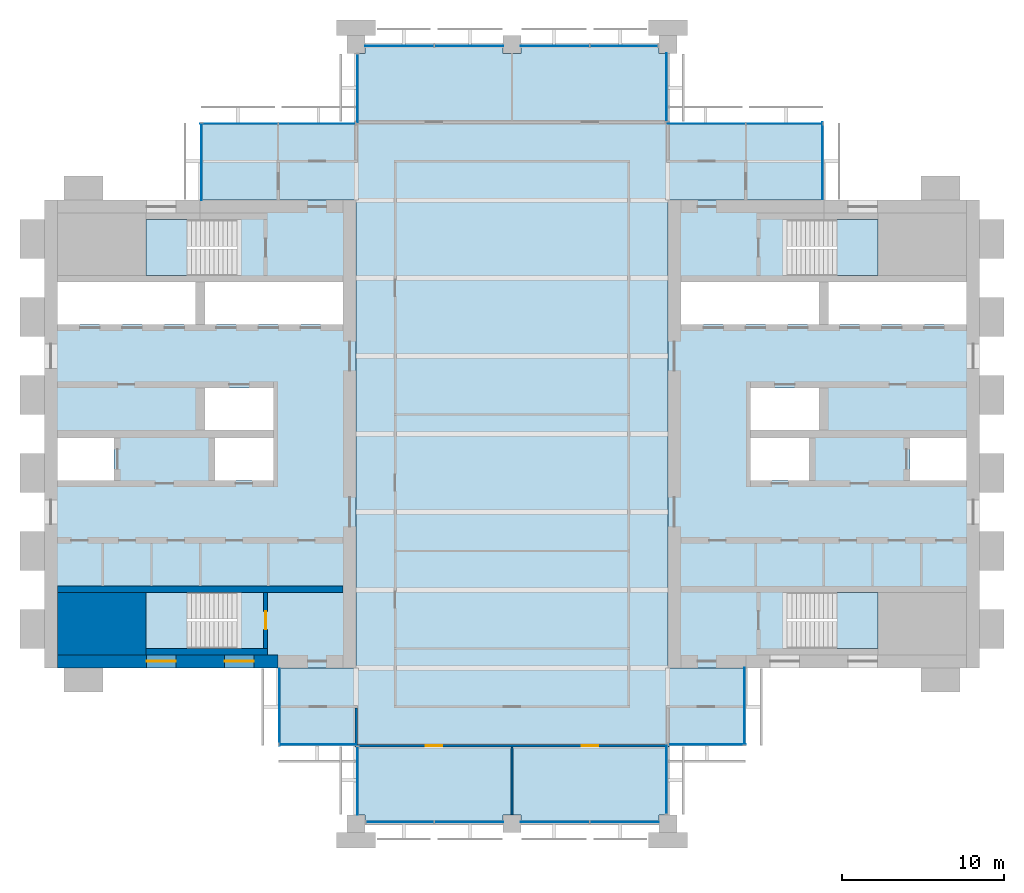
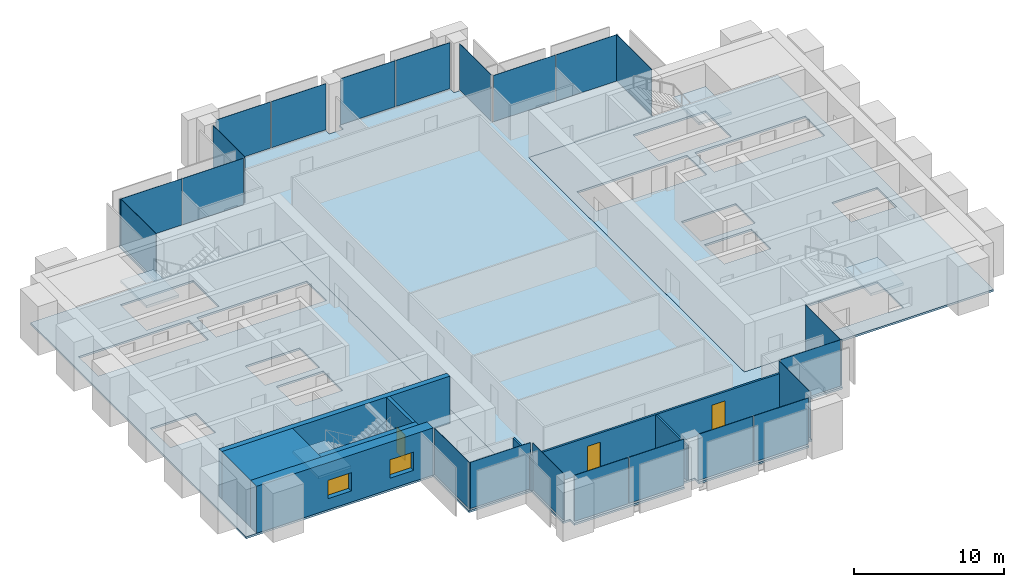
# One storey, part 7 of 13: 22 plates, 8 walls, 7 slabs, 3 doors, 2 windows, 5 openings, 18 elements without a shape of their own.
"""IFC4 building model written with IfcOpenShell, lengths in metres."""

from ifc_helpers import new_model, si_unit, direction, frame, frame_2d, origin, origin_2d, place, context, subcontext, project, spatial, polyline, rectangle, outline, extrude, material, layer, layer_set, type_object, element, fill, aggregate, save


model = new_model("IFC4")

# Units and contexts
model_context = context("Model", 3, precision=1e-05, world=origin(), true_north=direction((0.0, 1.0)))
body_context = subcontext(model_context, "Body", "Model", "MODEL_VIEW")
ifc_project = project(units=[si_unit("LENGTHUNIT", "METRE"), si_unit("AREAUNIT", "SQUARE_METRE"), si_unit("VOLUMEUNIT", "CUBIC_METRE"), si_unit("PLANEANGLEUNIT", "RADIAN"), si_unit("MASSUNIT", "GRAM", prefix="KILO")], contexts=[model_context])

# Site, building, storey
site_placement = place(None, origin())
site = spatial("IfcSite", under=ifc_project, at=site_placement, CompositionType="ELEMENT")
building_placement = place(site_placement, origin())
building = spatial("IfcBuilding", under=site, at=building_placement, Name="Baori Bourse Tower", CompositionType="ELEMENT")
storey_placement = place(building_placement, frame((0.0, 0.0, 253.199951171875)))
storey = spatial("IfcBuildingStorey", under=building, at=storey_placement, Name="L56", CompositionType="ELEMENT", Elevation=253.199951171875)

# Curtain wall, plate
ifc_material_1 = material(Name="Pale anodised aluminium", Category="aluminium")
curtain_wall_type_1 = type_object("IfcCurtainWallType", Name="CW2 Curtain wall", PredefinedType="NOTDEFINED", material=ifc_material_1)
curtain_wall_1_placement = place(storey_placement, origin())
curtain_wall_1 = element("IfcCurtainWall", 1, at=curtain_wall_1_placement, inside=storey, type_object=curtain_wall_type_1, Name="Curtain wall CW2 L56 1", PredefinedType="NOTDEFINED")
ifc_material_2 = material(Name="Clear glass", Category="glass")
ifc_layer_1 = layer(ifc_material_2, 0.030029296875)
ifc_layer_set_1 = layer_set([ifc_layer_1], Name="CW2 Curtain wall panel")
plate_type_1 = type_object("IfcPlateType", Name="CW2 Curtain wall panel", PredefinedType="CURTAIN_PANEL", material=ifc_layer_set_1)
plate_1_placement = place(storey_placement, frame((47.909912109375, 40.827392578125, 0.070068359375), z_axis=(0.0, 0.0, 1.0), x_axis=(0.0, 1.0, 0.0)))
plate_1 = element("IfcPlate", 2, at=plate_1_placement, type_object=plate_type_1, Name="Curtain wall CW2 panel", PredefinedType="CURTAIN_PANEL", context=body_context, shape_type="SweptSolid", body=[
    extrude(rectangle(XDim=4.7451171875, YDim=0.030029296875, at=origin_2d()), origin(), (0.0, 0.0, 1.0), 3.77001953125),
])
aggregate(curtain_wall_1, [plate_1])

# Curtain wall, plates
curtain_wall_2_placement = place(storey_placement, origin())
curtain_wall_2 = element("IfcCurtainWall", 3, at=curtain_wall_2_placement, inside=storey, type_object=curtain_wall_type_1, Name="Curtain wall CW2 L56 2", PredefinedType="NOTDEFINED")
plate_2_placement = place(storey_placement, frame((45.586181640625, 43.110107421875, 0.070068359375), z_axis=(0.0, 0.0, 1.0), x_axis=(-1.0, 0.0, 0.0)))
plate_2 = element("IfcPlate", 4, at=plate_2_placement, type_object=plate_type_1, Name="Curtain wall CW2 panel", PredefinedType="CURTAIN_PANEL", context=body_context, shape_type="SweptSolid", body=[
    extrude(rectangle(XDim=4.717529296875, YDim=0.030029296875, at=origin_2d()), origin(), (0.0, 0.0, 1.0), 3.77001953125),
])
plate_3_placement = place(storey_placement, frame((40.7861328125, 43.110107421875, 0.070068359375), z_axis=(0.0, 0.0, 1.0), x_axis=(-1.0, 0.0, 0.0)))
plate_3 = element("IfcPlate", 5, at=plate_3_placement, type_object=plate_type_1, Name="Curtain wall CW2 panel", PredefinedType="CURTAIN_PANEL", context=body_context, shape_type="SweptSolid", body=[
    extrude(rectangle(XDim=4.7724609375, YDim=0.030029296875, at=origin_2d()), origin(), (0.0, 0.0, 1.0), 3.77001953125),
])
aggregate(curtain_wall_2, [plate_2, plate_3])

# Curtain wall, plate
curtain_wall_3_placement = place(storey_placement, origin())
curtain_wall_3 = element("IfcCurtainWall", 6, at=curtain_wall_3_placement, inside=storey, type_object=curtain_wall_type_1, Name="Curtain wall CW2 L56 3", PredefinedType="NOTDEFINED")
plate_4_placement = place(storey_placement, frame((38.31005859375, 45.3525390625, 0.070068359375), z_axis=(0.0, 0.0, 1.0), x_axis=(0.0, 1.0, 0.0)))
plate_4 = element("IfcPlate", 7, at=plate_4_placement, type_object=plate_type_1, Name="Curtain wall CW2 panel", PredefinedType="CURTAIN_PANEL", context=body_context, shape_type="SweptSolid", body=[
    extrude(rectangle(XDim=4.195068359375, YDim=0.030029296875, at=origin_2d()), origin(), (0.0, 0.0, 1.0), 3.77001953125),
])
aggregate(curtain_wall_3, [plate_4])

curtain_wall_4_placement = place(storey_placement, origin())
curtain_wall_4 = element("IfcCurtainWall", 8, at=curtain_wall_4_placement, inside=storey, type_object=curtain_wall_type_1, Name="Curtain wall CW2 L56 5", PredefinedType="NOTDEFINED")
plate_5_placement = place(storey_placement, frame((19.2900390625, 45.297607421875, 0.070068359375), z_axis=(0.0, 0.0, 1.0), x_axis=(0.0, -1.0, 0.0)))
plate_5 = element("IfcPlate", 9, at=plate_5_placement, type_object=plate_type_1, Name="Curtain wall CW2 panel", PredefinedType="CURTAIN_PANEL", context=body_context, shape_type="SweptSolid", body=[
    extrude(rectangle(XDim=4.195068359375, YDim=0.030029296875, at=origin_2d()), origin(), (0.0, 0.0, 1.0), 3.77001953125),
])
aggregate(curtain_wall_4, [plate_5])

# Curtain wall, plates
curtain_wall_5_placement = place(storey_placement, origin())
curtain_wall_5 = element("IfcCurtainWall", 10, at=curtain_wall_5_placement, inside=storey, type_object=curtain_wall_type_1, Name="Curtain wall CW2 L56 6", PredefinedType="NOTDEFINED")
plate_6_placement = place(storey_placement, frame((16.7861328125, 43.110107421875, 0.070068359375), z_axis=(0.0, 0.0, 1.0), x_axis=(-1.0, 0.0, 0.0)))
plate_6 = element("IfcPlate", 11, at=plate_6_placement, type_object=plate_type_1, Name="Curtain wall CW2 panel", PredefinedType="CURTAIN_PANEL", context=body_context, shape_type="SweptSolid", body=[
    extrude(rectangle(XDim=4.717529296875, YDim=0.030029296875, at=origin_2d()), origin(), (0.0, 0.0, 1.0), 3.77001953125),
])
plate_7_placement = place(storey_placement, frame((11.986328125, 43.110107421875, 0.070068359375), z_axis=(0.0, 0.0, 1.0), x_axis=(-1.0, 0.0, 0.0)))
plate_7 = element("IfcPlate", 12, at=plate_7_placement, type_object=plate_type_1, Name="Curtain wall CW2 panel", PredefinedType="CURTAIN_PANEL", context=body_context, shape_type="SweptSolid", body=[
    extrude(rectangle(XDim=4.7724609375, YDim=0.030029296875, at=origin_2d()), origin(), (0.0, 0.0, 1.0), 3.77001953125),
])
aggregate(curtain_wall_5, [plate_6, plate_7])

# Curtain wall, plate
curtain_wall_6_placement = place(storey_placement, origin())
curtain_wall_6 = element("IfcCurtainWall", 13, at=curtain_wall_6_placement, inside=storey, type_object=curtain_wall_type_1, Name="Curtain wall CW2 L56 7", PredefinedType="NOTDEFINED")
plate_8_placement = place(storey_placement, frame((9.68994140625, 40.7724609375, 0.070068359375), z_axis=(0.0, 0.0, 1.0), x_axis=(0.0, -1.0, 0.0)))
plate_8 = element("IfcPlate", 14, at=plate_8_placement, type_object=plate_type_1, Name="Curtain wall CW2 panel", PredefinedType="CURTAIN_PANEL", context=body_context, shape_type="SweptSolid", body=[
    extrude(rectangle(XDim=4.7451171875, YDim=0.030029296875, at=origin_2d()), origin(), (0.0, 0.0, 1.0), 3.77001953125),
])
aggregate(curtain_wall_6, [plate_8])

curtain_wall_7_placement = place(storey_placement, origin())
curtain_wall_7 = element("IfcCurtainWall", 15, at=curtain_wall_7_placement, inside=storey, type_object=curtain_wall_type_1, Name="Curtain wall CW2 L56 8", PredefinedType="NOTDEFINED")
plate_9_placement = place(storey_placement, frame((14.489990234375, 7.172607421875, 0.070068359375), z_axis=(0.0, 0.0, 1.0), x_axis=(0.0, -1.0, 0.0)))
plate_9 = element("IfcPlate", 16, at=plate_9_placement, type_object=plate_type_1, Name="Curtain wall CW2 panel", PredefinedType="CURTAIN_PANEL", context=body_context, shape_type="SweptSolid", body=[
    extrude(rectangle(XDim=4.7451171875, YDim=0.030029296875, at=origin_2d()), origin(), (0.0, 0.0, 1.0), 3.77001953125),
])
aggregate(curtain_wall_7, [plate_9])

curtain_wall_8_placement = place(storey_placement, origin())
curtain_wall_8 = element("IfcCurtainWall", 17, at=curtain_wall_8_placement, inside=storey, type_object=curtain_wall_type_1, Name="Curtain wall CW2 L56 9", PredefinedType="NOTDEFINED")
plate_10_placement = place(storey_placement, frame((16.827392578125, 4.889892578125, 0.070068359375), z_axis=(0.0, 0.0, 1.0), x_axis=(1.0, 0.0, 0.0)))
plate_10 = element("IfcPlate", 18, at=plate_10_placement, type_object=plate_type_1, Name="Curtain wall CW2 panel", PredefinedType="CURTAIN_PANEL", context=body_context, shape_type="SweptSolid", body=[
    extrude(rectangle(XDim=4.7451171875, YDim=0.030029296875, at=origin_2d()), origin(), (0.0, 0.0, 1.0), 3.77001953125),
])
aggregate(curtain_wall_8, [plate_10])

curtain_wall_9_placement = place(storey_placement, origin())
curtain_wall_9 = element("IfcCurtainWall", 19, at=curtain_wall_9_placement, inside=storey, type_object=curtain_wall_type_1, Name="Curtain wall CW2 L56 10", PredefinedType="NOTDEFINED")
plate_11_placement = place(storey_placement, frame((19.2900390625, 2.6474609375, 0.070068359375), z_axis=(0.0, 0.0, 1.0), x_axis=(0.0, -1.0, 0.0)))
plate_11 = element("IfcPlate", 20, at=plate_11_placement, type_object=plate_type_1, Name="Curtain wall CW2 panel", PredefinedType="CURTAIN_PANEL", context=body_context, shape_type="SweptSolid", body=[
    extrude(rectangle(XDim=4.195068359375, YDim=0.030029296875, at=origin_2d()), origin(), (0.0, 0.0, 1.0), 3.77001953125),
])
aggregate(curtain_wall_9, [plate_11])

curtain_wall_10_placement = place(storey_placement, origin())
curtain_wall_10 = element("IfcCurtainWall", 21, at=curtain_wall_10_placement, inside=storey, type_object=curtain_wall_type_1, Name="Curtain wall CW2 L56 12", PredefinedType="NOTDEFINED")
plate_12_placement = place(storey_placement, frame((38.31005859375, 2.702392578125, 0.070068359375), z_axis=(0.0, 0.0, 1.0), x_axis=(0.0, 1.0, 0.0)))
plate_12 = element("IfcPlate", 22, at=plate_12_placement, type_object=plate_type_1, Name="Curtain wall CW2 panel", PredefinedType="CURTAIN_PANEL", context=body_context, shape_type="SweptSolid", body=[
    extrude(rectangle(XDim=4.195068359375, YDim=0.030029296875, at=origin_2d()), origin(), (0.0, 0.0, 1.0), 3.77001953125),
])
aggregate(curtain_wall_10, [plate_12])

curtain_wall_11_placement = place(storey_placement, origin())
curtain_wall_11 = element("IfcCurtainWall", 23, at=curtain_wall_11_placement, inside=storey, type_object=curtain_wall_type_1, Name="Curtain wall CW2 L56 13", PredefinedType="NOTDEFINED")
plate_13_placement = place(storey_placement, frame((40.827392578125, 4.889892578125, 0.070068359375), z_axis=(0.0, 0.0, 1.0), x_axis=(1.0, 0.0, 0.0)))
plate_13 = element("IfcPlate", 24, at=plate_13_placement, type_object=plate_type_1, Name="Curtain wall CW2 panel", PredefinedType="CURTAIN_PANEL", context=body_context, shape_type="SweptSolid", body=[
    extrude(rectangle(XDim=4.7451171875, YDim=0.030029296875, at=origin_2d()), origin(), (0.0, 0.0, 1.0), 3.77001953125),
])
aggregate(curtain_wall_11, [plate_13])

curtain_wall_12_placement = place(storey_placement, origin())
curtain_wall_12 = element("IfcCurtainWall", 25, at=curtain_wall_12_placement, inside=storey, type_object=curtain_wall_type_1, Name="Curtain wall CW2 L56 14", PredefinedType="NOTDEFINED")
plate_14_placement = place(storey_placement, frame((43.110107421875, 7.2275390625, 0.070068359375), z_axis=(0.0, 0.0, 1.0), x_axis=(0.0, 1.0, 0.0)))
plate_14 = element("IfcPlate", 26, at=plate_14_placement, type_object=plate_type_1, Name="Curtain wall CW2 panel", PredefinedType="CURTAIN_PANEL", context=body_context, shape_type="SweptSolid", body=[
    extrude(rectangle(XDim=4.7451171875, YDim=0.030029296875, at=origin_2d()), origin(), (0.0, 0.0, 1.0), 3.77001953125),
])
aggregate(curtain_wall_12, [plate_14])

# Curtain wall, plates
ifc_material_3 = material(Name="Pale anodised aluminium", Category="aluminium")
curtain_wall_type_2 = type_object("IfcCurtainWallType", Name="CW5 Curtain wall", PredefinedType="NOTDEFINED", material=ifc_material_3)
curtain_wall_13_placement = place(storey_placement, origin())
curtain_wall_13 = element("IfcCurtainWall", 27, at=curtain_wall_13_placement, inside=storey, type_object=curtain_wall_type_2, Name="Curtain wall CW5 L56 4", PredefinedType="NOTDEFINED")
ifc_material_4 = material(Name="Clear glass", Category="glass")
ifc_layer_2 = layer(ifc_material_4, 0.035888671875)
ifc_layer_set_2 = layer_set([ifc_layer_2], Name="CW5 Curtain wall panel")
plate_type_2 = type_object("IfcPlateType", Name="CW5 Curtain wall panel", PredefinedType="CURTAIN_PANEL", material=ifc_layer_set_2)
plate_15_placement = place(storey_placement, frame((35.708740234375, 47.889892578125, 0.085205078125), z_axis=(0.0, 0.0, 1.0), x_axis=(-1.0, 0.0, 0.0)))
plate_15 = element("IfcPlate", 28, at=plate_15_placement, type_object=plate_type_2, Name="Curtain wall CW5 panel", PredefinedType="CURTAIN_PANEL", context=body_context, shape_type="SweptSolid", body=[
    extrude(rectangle(XDim=4.152587890625, YDim=0.035888671875, at=origin_2d()), origin(), (0.0, 0.0, 1.0), 3.7548828125),
])
plate_16_placement = place(storey_placement, frame((31.458740234375, 47.889892578125, 0.085205078125), z_axis=(0.0, 0.0, 1.0), x_axis=(-1.0, 0.0, 0.0)))
plate_16 = element("IfcPlate", 29, at=plate_16_placement, type_object=plate_type_2, Name="Curtain wall CW5 panel", PredefinedType="CURTAIN_PANEL", context=body_context, shape_type="SweptSolid", body=[
    extrude(rectangle(XDim=4.217529296875, YDim=0.035888671875, at=origin_2d()), origin(), (0.0, 0.0, 1.0), 3.7548828125),
])
plate_17_placement = place(storey_placement, frame((26.141357421875, 47.889892578125, 0.085205078125), z_axis=(0.0, 0.0, 1.0), x_axis=(-1.0, 0.0, 0.0)))
plate_17 = element("IfcPlate", 30, at=plate_17_placement, type_object=plate_type_2, Name="Curtain wall CW5 panel", PredefinedType="CURTAIN_PANEL", context=body_context, shape_type="SweptSolid", body=[
    extrude(rectangle(XDim=4.217529296875, YDim=0.035888671875, at=origin_2d()), origin(), (0.0, 0.0, 1.0), 3.7548828125),
])
plate_18_placement = place(storey_placement, frame((21.858642578125, 47.889892578125, 0.085205078125), z_axis=(0.0, 0.0, 1.0), x_axis=(-1.0, 0.0, 0.0)))
plate_18 = element("IfcPlate", 31, at=plate_18_placement, type_object=plate_type_2, Name="Curtain wall CW5 panel", PredefinedType="CURTAIN_PANEL", context=body_context, shape_type="SweptSolid", body=[
    extrude(rectangle(XDim=4.217529296875, YDim=0.035888671875, at=origin_2d()), origin(), (0.0, 0.0, 1.0), 3.7548828125),
])
aggregate(curtain_wall_13, [plate_15, plate_16, plate_17, plate_18])

curtain_wall_14_placement = place(storey_placement, origin())
curtain_wall_14 = element("IfcCurtainWall", 32, at=curtain_wall_14_placement, inside=storey, type_object=curtain_wall_type_2, Name="Curtain wall CW5 L56 11", PredefinedType="NOTDEFINED")
plate_19_placement = place(storey_placement, frame((21.891357421875, 0.110107421875, 0.085205078125), z_axis=(0.0, 0.0, 1.0), x_axis=(1.0, 0.0, 0.0)))
plate_19 = element("IfcPlate", 33, at=plate_19_placement, type_object=plate_type_2, Name="Curtain wall CW5 panel", PredefinedType="CURTAIN_PANEL", context=body_context, shape_type="SweptSolid", body=[
    extrude(rectangle(XDim=4.152587890625, YDim=0.035888671875, at=origin_2d()), origin(), (0.0, 0.0, 1.0), 3.7548828125),
])
plate_20_placement = place(storey_placement, frame((26.141357421875, 0.110107421875, 0.085205078125), z_axis=(0.0, 0.0, 1.0), x_axis=(1.0, 0.0, 0.0)))
plate_20 = element("IfcPlate", 34, at=plate_20_placement, type_object=plate_type_2, Name="Curtain wall CW5 panel", PredefinedType="CURTAIN_PANEL", context=body_context, shape_type="SweptSolid", body=[
    extrude(rectangle(XDim=4.217529296875, YDim=0.035888671875, at=origin_2d()), origin(), (0.0, 0.0, 1.0), 3.7548828125),
])
plate_21_placement = place(storey_placement, frame((31.458740234375, 0.110107421875, 0.085205078125), z_axis=(0.0, 0.0, 1.0), x_axis=(1.0, 0.0, 0.0)))
plate_21 = element("IfcPlate", 35, at=plate_21_placement, type_object=plate_type_2, Name="Curtain wall CW5 panel", PredefinedType="CURTAIN_PANEL", context=body_context, shape_type="SweptSolid", body=[
    extrude(rectangle(XDim=4.217529296875, YDim=0.035888671875, at=origin_2d()), origin(), (0.0, 0.0, 1.0), 3.7548828125),
])
plate_22_placement = place(storey_placement, frame((35.7412109375, 0.110107421875, 0.085205078125), z_axis=(0.0, 0.0, 1.0), x_axis=(1.0, 0.0, 0.0)))
plate_22 = element("IfcPlate", 36, at=plate_22_placement, type_object=plate_type_2, Name="Curtain wall CW5 panel", PredefinedType="CURTAIN_PANEL", context=body_context, shape_type="SweptSolid", body=[
    extrude(rectangle(XDim=4.217529296875, YDim=0.035888671875, at=origin_2d()), origin(), (0.0, 0.0, 1.0), 3.7548828125),
])
aggregate(curtain_wall_14, [plate_19, plate_20, plate_21, plate_22])

# Slabs
ifc_material_5 = material(Name="Concrete f'c 50 MPa", Category="concrete")
ifc_layer_3 = layer(ifc_material_5, 0.159912109375)
ifc_layer_set_3 = layer_set([ifc_layer_3], Name="Core slab 160")
slab_type_1 = type_object("IfcSlabType", Name="Core slab 160", PredefinedType="FLOOR", material=ifc_layer_set_3)
slab_1_placement = place(storey_placement, frame((0.0, 0.0, -0.159912109375)))
element("IfcSlab", 37, at=slab_1_placement, inside=storey, type_object=slab_type_1, Name="Core floor slab W01", PredefinedType="FLOOR", context=body_context, shape_type="SweptSolid", body=[
    extrude(outline(polyline([(19.199951171875, 38.39990234375), (0.0, 38.39990234375), (0.0, 9.60009765625), (19.199951171875, 9.60009765625), (19.199951171875, 38.39990234375)]), holes=[polyline([(9.89990234375, 33.35009765625), (18.39990234375, 33.35009765625), (18.39990234375, 30.75), (9.89990234375, 30.75), (9.89990234375, 33.35009765625)]), polyline([(10.5, 21.14990234375), (10.5, 23.75), (14.10009765625, 23.75), (14.10009765625, 21.14990234375), (10.5, 21.14990234375)]), polyline([(14.10009765625, 24.25), (9.89990234375, 24.25), (9.89990234375, 26.85009765625), (14.10009765625, 26.85009765625), (14.10009765625, 24.25)]), polyline([(6.25, 14.25), (11.84912109375, 14.25), (11.84912109375, 10.800048828125), (6.25, 10.800048828125), (6.25, 14.25)]), polyline([(11.84912109375, 37.199951171875), (11.84912109375, 33.75), (6.25, 33.75), (6.25, 37.199951171875), (11.84912109375, 37.199951171875)]), polyline([(0.800048828125, 30.75), (0.800048828125, 33.35009765625), (9.300048828125, 33.35009765625), (9.300048828125, 30.75), (0.800048828125, 30.75)]), polyline([(4.300048828125, 23.75), (4.300048828125, 21.14990234375), (0.800048828125, 21.14990234375), (0.800048828125, 23.75), (4.300048828125, 23.75)])]), origin(), (0.0, 0.0, 1.0), 0.159912109375),
])
slab_2_placement = place(storey_placement, frame((0.0, 0.0, -0.159912109375)))
element("IfcSlab", 38, at=slab_2_placement, inside=storey, type_object=slab_type_1, Name="Core floor slab E01", PredefinedType="FLOOR", context=body_context, shape_type="SweptSolid", body=[
    extrude(outline(polyline([(57.60009765625, 9.60009765625), (57.60009765625, 38.39990234375), (38.39990234375, 38.39990234375), (38.39990234375, 9.60009765625), (57.60009765625, 9.60009765625)]), holes=[polyline([(48.300048828125, 33.35009765625), (56.800048828125, 33.35009765625), (56.800048828125, 30.75), (48.300048828125, 30.75), (48.300048828125, 33.35009765625)]), polyline([(56.800048828125, 21.14990234375), (53.300048828125, 21.14990234375), (53.300048828125, 23.75), (56.800048828125, 23.75), (56.800048828125, 21.14990234375)]), polyline([(45.750732421875, 14.25), (51.35009765625, 14.25), (51.35009765625, 10.800048828125), (45.750732421875, 10.800048828125), (45.750732421875, 14.25)]), polyline([(51.35009765625, 37.199951171875), (51.35009765625, 33.75), (45.750732421875, 33.75), (45.750732421875, 37.199951171875), (51.35009765625, 37.199951171875)]), polyline([(43.5, 24.25), (43.5, 26.85009765625), (47.699951171875, 26.85009765625), (47.699951171875, 24.25), (43.5, 24.25)]), polyline([(47.699951171875, 33.35009765625), (47.699951171875, 30.75), (39.199951171875, 30.75), (39.199951171875, 33.35009765625), (47.699951171875, 33.35009765625)]), polyline([(43.5, 23.75), (47.10009765625, 23.75), (47.10009765625, 21.14990234375), (43.5, 21.14990234375), (43.5, 23.75)])]), origin(), (0.0, 0.0, 1.0), 0.159912109375),
])

# Stair, slab
ifc_material_6 = material(Name="Concrete f'c 50 MPa", Category="concrete")
stair_type = type_object("IfcStairType", Name="Core stair", PredefinedType="HALF_TURN_STAIR", material=ifc_material_6)
stair_1_placement = place(storey_placement, origin())
stair_1 = element("IfcStair", 39, at=stair_1_placement, inside=storey, type_object=stair_type, Name="L56 Stair WA", PredefinedType="HALF_TURN_STAIR")
ifc_material_7 = material(Name="Concrete f'c 50 MPa", Category="concrete")
slab_type_2 = type_object("IfcSlabType", Name="Core stair landing", PredefinedType="LANDING", material=ifc_material_7)
slab_3_placement = place(storey_placement, frame((0.0, 0.0, 1.800048828125)))
slab_3 = element("IfcSlab", 40, at=slab_3_placement, type_object=slab_type_2, Name="ST1 landing 1", PredefinedType="LANDING", context=body_context, shape_type="SweptSolid", body=[
    extrude(outline(polyline([(8.77001953125, 14.25), (6.25, 14.25), (6.25, 10.800048828125), (8.77001953125, 10.800048828125), (8.77001953125, 14.25)])), origin(), (0.0, 0.0, 1.0), 0.199951171875),
])
aggregate(stair_1, [slab_3])

stair_2_placement = place(storey_placement, origin())
stair_2 = element("IfcStair", 41, at=stair_2_placement, inside=storey, type_object=stair_type, Name="L56 Stair WB", PredefinedType="HALF_TURN_STAIR")
slab_4_placement = place(storey_placement, frame((0.0, 0.0, 1.800048828125)))
slab_4 = element("IfcSlab", 42, at=slab_4_placement, type_object=slab_type_2, Name="ST2 landing 1", PredefinedType="LANDING", context=body_context, shape_type="SweptSolid", body=[
    extrude(outline(polyline([(8.77001953125, 37.199951171875), (6.25, 37.199951171875), (6.25, 33.75), (8.77001953125, 33.75), (8.77001953125, 37.199951171875)])), origin(), (0.0, 0.0, 1.0), 0.199951171875),
])
aggregate(stair_2, [slab_4])

stair_3_placement = place(storey_placement, origin())
stair_3 = element("IfcStair", 43, at=stair_3_placement, inside=storey, type_object=stair_type, Name="L56 Stair EA", PredefinedType="HALF_TURN_STAIR")
slab_5_placement = place(storey_placement, frame((0.0, 0.0, 1.800048828125)))
slab_5 = element("IfcSlab", 44, at=slab_5_placement, type_object=slab_type_2, Name="ST3 landing 1", PredefinedType="LANDING", context=body_context, shape_type="SweptSolid", body=[
    extrude(outline(polyline([(48.830078125, 10.800048828125), (51.35009765625, 10.800048828125), (51.35009765625, 14.25), (48.830078125, 14.25), (48.830078125, 10.800048828125)])), origin(), (0.0, 0.0, 1.0), 0.199951171875),
])
aggregate(stair_3, [slab_5])

stair_4_placement = place(storey_placement, origin())
stair_4 = element("IfcStair", 45, at=stair_4_placement, inside=storey, type_object=stair_type, Name="L56 Stair EB", PredefinedType="HALF_TURN_STAIR")
slab_6_placement = place(storey_placement, frame((0.0, 0.0, 1.800048828125)))
slab_6 = element("IfcSlab", 46, at=slab_6_placement, type_object=slab_type_2, Name="ST4 landing 1", PredefinedType="LANDING", context=body_context, shape_type="SweptSolid", body=[
    extrude(outline(polyline([(48.830078125, 33.75), (51.35009765625, 33.75), (51.35009765625, 37.199951171875), (48.830078125, 37.199951171875), (48.830078125, 33.75)])), origin(), (0.0, 0.0, 1.0), 0.199951171875),
])
aggregate(stair_4, [slab_6])

# Slab
ifc_material_8 = material(Name="Concrete f'c 40 MPa", Category="concrete")
ifc_layer_4 = layer(ifc_material_8, 0.159912109375)
ifc_layer_set_4 = layer_set([ifc_layer_4], Name="Floor slab 160")
slab_type_3 = type_object("IfcSlabType", Name="Floor slab 160", PredefinedType="FLOOR", material=ifc_layer_set_4)
slab_7_placement = place(storey_placement, frame((0.0, 0.0, -0.159912109375)))
element("IfcSlab", 47, at=slab_7_placement, inside=storey, type_object=slab_type_3, Name="Floor slab L56", PredefinedType="FLOOR", context=body_context, shape_type="SweptSolid", body=[
    extrude(outline(polyline([(19.199951171875, 4.800048828125), (14.39990234375, 4.800048828125), (14.39990234375, 9.60009765625), (19.199951171875, 9.60009765625), (19.199951171875, 38.39990234375), (9.60009765625, 38.39990234375), (9.60009765625, 43.199951171875), (19.199951171875, 43.199951171875), (19.199951171875, 47.449951171875), (19.75, 47.449951171875), (19.75, 48.0), (28.25, 48.0), (28.25, 47.449951171875), (29.35009765625, 47.449951171875), (29.35009765625, 48.0), (37.85009765625, 48.0), (37.85009765625, 47.449951171875), (38.39990234375, 47.449951171875), (38.39990234375, 43.199951171875), (48.0, 43.199951171875), (48.0, 38.39990234375), (38.39990234375, 38.39990234375), (38.39990234375, 9.60009765625), (43.199951171875, 9.60009765625), (43.199951171875, 4.800048828125), (38.39990234375, 4.800048828125), (38.39990234375, 0.550048828125), (37.85009765625, 0.550048828125), (37.85009765625, 0.0), (29.35009765625, 0.0), (29.35009765625, 0.550048828125), (28.25, 0.550048828125), (28.25, 0.0), (19.75, 0.0), (19.75, 0.550048828125), (19.199951171875, 0.550048828125), (19.199951171875, 4.800048828125)])), origin(), (0.0, 0.0, 1.0), 0.159912109375),
])

# Wall
ifc_material_9 = material(Name="Concrete f'c 50 MPa", Category="concrete")
wall_type_1 = type_object("IfcWallType", Name="Core corner block f'c 50", PredefinedType="SHEAR", material=ifc_material_9)
wall_1_placement = place(storey_placement, frame((0.800048828125, 12.324951171875, 0.0), z_axis=(0.0, 0.0, 1.0), x_axis=(1.0, 0.0, 0.0)))
element("IfcWall", 48, at=wall_1_placement, inside=storey, type_object=wall_type_1, Name="Core wall W05", PredefinedType="SHEAR", context=body_context, shape_type="SweptSolid", body=[
    extrude(rectangle(XDim=5.449951171875, YDim=3.85009765625, at=frame_2d((2.72509765625, 0.0))), origin(), (0.0, 0.0, 1.0), 3.840087890625),
])

# Wall, openings, windows
ifc_material_10 = material(Name="Concrete f'c 50 MPa", Category="concrete")
ifc_layer_5 = layer(ifc_material_10, 0.800048828125)
ifc_layer_set_5 = layer_set([ifc_layer_5], Name="Core wall 800 f'c 50")
wall_type_2 = type_object("IfcWallType", Name="Core wall 800 f'c 50", PredefinedType="SHEAR", material=ifc_layer_set_5)
wall_2_placement = place(storey_placement, frame((14.39990234375, 10.0, 0.0), z_axis=(0.0, 0.0, 1.0), x_axis=(-1.0, 0.0, 0.0)))
wall_2 = element("IfcWall", 49, at=wall_2_placement, inside=storey, type_object=wall_type_2, Name="Core wall W02", PredefinedType="SHEAR", context=body_context, shape_type="SweptSolid", body=[
    extrude(rectangle(XDim=13.599853515625, YDim=0.800048828125, at=frame_2d((6.7998046875, 0.0))), origin(), (0.0, 0.0, 1.0), 3.840087890625),
])
opening_1_placement = place(wall_2_placement, frame((6.300048828125, 0.0, 0.89990234375)))
opening_1 = element("IfcOpeningElement", 50, at=opening_1_placement, cuts=wall_2, Name="Opening L56-KW103", PredefinedType="OPENING", context=body_context, shape_type="SweptSolid", body=[
    extrude(rectangle(XDim=1.800048828125, YDim=1.5, at=frame_2d((0.89990234375, 0.75))), frame((0.0, 0.409912109375, 0.0), z_axis=(0.0, -1.0, 0.0), x_axis=(1.0, 0.0, 0.0)), (0.0, 0.0, 1.0), 0.820068359375),
])
opening_2_placement = place(wall_2_placement, frame((1.5, 0.0, 0.89990234375)))
opening_2 = element("IfcOpeningElement", 51, at=opening_2_placement, cuts=wall_2, Name="Opening L56-KW104", PredefinedType="OPENING", context=body_context, shape_type="SweptSolid", body=[
    extrude(rectangle(XDim=1.800048828125, YDim=1.5, at=frame_2d((0.89990234375, 0.75))), frame((0.0, 0.409912109375, 0.0), z_axis=(0.0, -1.0, 0.0), x_axis=(1.0, 0.0, 0.0)), (0.0, 0.0, 1.0), 0.820068359375),
])
ifc_material_11 = material(Name="Pale anodised aluminium", Category="aluminium")
window_type = type_object("IfcWindowType", Name="Stair window 1800 x 1500", PartitioningType="SINGLE_PANEL", PredefinedType="WINDOW", material=ifc_material_11)
window_1_placement = place(opening_1_placement, origin())
window_1 = element("IfcWindow", 52, at=window_1_placement, inside=storey, type_object=window_type, Name="Stair window W L56 3", OverallHeight=1.5, OverallWidth=1.800048828125, PartitioningType="SINGLE_PANEL", PredefinedType="WINDOW", context=body_context, shape_type="SweptSolid", body=[
    extrude(rectangle(XDim=1.800048828125, YDim=1.5, at=frame_2d((0.89990234375, 0.75))), frame((0.0, 0.030029296875, 0.0), z_axis=(0.0, -1.0, 0.0), x_axis=(1.0, 0.0, 0.0)), (0.0, 0.0, 1.0), 0.06005859375),
])
fill(opening_1, window_1)
window_2_placement = place(opening_2_placement, origin())
window_2 = element("IfcWindow", 53, at=window_2_placement, inside=storey, type_object=window_type, Name="Stair window W L56 4", OverallHeight=1.5, OverallWidth=1.800048828125, PartitioningType="SINGLE_PANEL", PredefinedType="WINDOW", context=body_context, shape_type="SweptSolid", body=[
    extrude(rectangle(XDim=1.800048828125, YDim=1.5, at=frame_2d((0.89990234375, 0.75))), frame((0.0, 0.030029296875, 0.0), z_axis=(0.0, -1.0, 0.0), x_axis=(1.0, 0.0, 0.0)), (0.0, 0.0, 1.0), 0.06005859375),
])
fill(opening_2, window_2)

# Wall, openings, doors
ifc_material_12 = material(Name="Gypsum board partition")
ifc_layer_6 = layer(ifc_material_12, 0.14990234375)
ifc_layer_set_6 = layer_set([ifc_layer_6], Name="Corridor partition 150")
wall_type_3 = type_object("IfcWallType", Name="Corridor partition 150", PredefinedType="PARTITIONING", material=ifc_layer_set_6)
wall_3_placement = place(storey_placement, frame((19.125, 4.800048828125, 0.0), z_axis=(0.0, 0.0, 1.0), x_axis=(1.0, 0.0, 0.0)))
wall_3 = element("IfcWall", 54, at=wall_3_placement, inside=storey, type_object=wall_type_3, Name="Partition", PredefinedType="PARTITIONING", context=body_context, shape_type="SweptSolid", body=[
    extrude(rectangle(XDim=19.35009765625, YDim=0.14990234375, at=frame_2d((9.675048828125, 0.0))), origin(), (0.0, 0.0, 1.0), 2.849365234375),
])
opening_3_placement = place(wall_3_placement, frame((4.375, 0.0, 0.0)))
opening_3 = element("IfcOpeningElement", 55, at=opening_3_placement, cuts=wall_3, Name="Opening L56-D01", PredefinedType="OPENING", context=body_context, shape_type="SweptSolid", body=[
    extrude(rectangle(XDim=1.0, YDim=2.10009765625, at=frame_2d((0.5, 1.050048828125))), frame((0.0, 0.0849609375, 0.0), z_axis=(0.0, -1.0, 0.0), x_axis=(1.0, 0.0, 0.0)), (0.0, 0.0, 1.0), 0.169921875),
])
opening_4_placement = place(wall_3_placement, frame((13.97509765625, 0.0, 0.0)))
opening_4 = element("IfcOpeningElement", 56, at=opening_4_placement, cuts=wall_3, Name="Opening L56-D02", PredefinedType="OPENING", context=body_context, shape_type="SweptSolid", body=[
    extrude(rectangle(XDim=1.0, YDim=2.10009765625, at=frame_2d((0.5, 1.050048828125))), frame((0.0, 0.0849609375, 0.0), z_axis=(0.0, -1.0, 0.0), x_axis=(1.0, 0.0, 0.0)), (0.0, 0.0, 1.0), 0.169921875),
])
ifc_material_13 = material(Name="Timber door leaf", Category="wood")
door_type_1 = type_object("IfcDoorType", Name="Door 1000 x 2100", OperationType="SINGLE_SWING_LEFT", PredefinedType="DOOR", material=ifc_material_13)
door_1_placement = place(opening_3_placement, origin())
door_1 = element("IfcDoor", 57, at=door_1_placement, inside=storey, type_object=door_type_1, Name="Door", OperationType="SINGLE_SWING_LEFT", OverallHeight=2.10009765625, OverallWidth=1.0, PredefinedType="DOOR", context=body_context, shape_type="SweptSolid", body=[
    extrude(rectangle(XDim=1.0, YDim=2.10009765625, at=frame_2d((0.5, 1.050048828125))), frame((0.0, 0.02490234375, 0.0), z_axis=(0.0, -1.0, 0.0), x_axis=(1.0, 0.0, 0.0)), (0.0, 0.0, 1.0), 0.050048828125),
])
fill(opening_3, door_1)
door_2_placement = place(opening_4_placement, origin())
door_2 = element("IfcDoor", 58, at=door_2_placement, inside=storey, type_object=door_type_1, Name="Door", OperationType="SINGLE_SWING_RIGHT", OverallHeight=2.10009765625, OverallWidth=1.0, PredefinedType="DOOR", context=body_context, shape_type="SweptSolid", body=[
    extrude(rectangle(XDim=1.0, YDim=2.10009765625, at=frame_2d((0.5, 1.050048828125))), frame((0.0, 0.02490234375, 0.0), z_axis=(0.0, -1.0, 0.0), x_axis=(1.0, 0.0, 0.0)), (0.0, 0.0, 1.0), 0.050048828125),
])
fill(opening_4, door_2)

# Walls
wall_4_placement = place(storey_placement, frame((19.199951171875, 4.875, 0.0), z_axis=(0.0, 0.0, 1.0), x_axis=(0.0, 1.0, 0.0)))
element("IfcWall", 59, at=wall_4_placement, inside=storey, type_object=wall_type_3, Name="Partition", PredefinedType="PARTITIONING", context=body_context, shape_type="SweptSolid", body=[
    extrude(rectangle(XDim=2.25, YDim=0.14990234375, at=frame_2d((1.125, 0.0))), origin(), (0.0, 0.0, 1.0), 2.849365234375),
])
ifc_material_14 = material(Name="Gypsum board partition")
ifc_layer_7 = layer(ifc_material_14, 0.125)
ifc_layer_set_7 = layer_set([ifc_layer_7], Name="Partition 125")
wall_type_4 = type_object("IfcWallType", Name="Partition 125", PredefinedType="PARTITIONING", material=ifc_layer_set_7)
wall_5_placement = place(storey_placement, frame((28.800048828125, 0.550048828125, 0.0), z_axis=(0.0, 0.0, 1.0), x_axis=(0.0, 1.0, 0.0)))
element("IfcWall", 60, at=wall_5_placement, inside=storey, type_object=wall_type_4, Name="Partition", PredefinedType="PARTITIONING", context=body_context, shape_type="SweptSolid", body=[
    extrude(rectangle(XDim=4.175048828125, YDim=0.125, at=frame_2d((2.08740234375, 0.0))), origin(), (0.0, 0.0, 1.0), 2.849365234375),
])

# Wall, opening, door
ifc_material_15 = material(Name="Concrete f'c 50 MPa", Category="concrete")
ifc_layer_8 = layer(ifc_material_15, 0.25)
ifc_layer_set_8 = layer_set([ifc_layer_8], Name="Shaft wall 250 f'c 50")
wall_type_5 = type_object("IfcWallType", Name="Shaft wall 250 f'c 50", PredefinedType="SHEAR", material=ifc_layer_set_8)
wall_6_placement = place(storey_placement, frame((13.625, 10.800048828125, 0.0), z_axis=(0.0, 0.0, 1.0), x_axis=(0.0, 1.0, 0.0)))
wall_6 = element("IfcWall", 61, at=wall_6_placement, inside=storey, type_object=wall_type_5, Name="Core wall W07", PredefinedType="SHEAR", context=body_context, shape_type="SweptSolid", body=[
    extrude(rectangle(XDim=3.449951171875, YDim=0.25, at=frame_2d((1.72509765625, 0.0))), origin(), (0.0, 0.0, 1.0), 3.840087890625),
])
opening_5_placement = place(wall_6_placement, frame((1.175048828125, 0.0, 0.0)))
opening_5 = element("IfcOpeningElement", 62, at=opening_5_placement, cuts=wall_6, Name="Opening L56-D101", PredefinedType="OPENING", context=body_context, shape_type="SweptSolid", body=[
    extrude(rectangle(XDim=1.10009765625, YDim=2.10009765625, at=frame_2d((0.550048828125, 1.050048828125))), frame((0.0, 0.135009765625, 0.0), z_axis=(0.0, -1.0, 0.0), x_axis=(1.0, 0.0, 0.0)), (0.0, 0.0, 1.0), 0.27001953125),
])
ifc_material_16 = material(Name="Painted steel door", Category="steel")
door_type_2 = type_object("IfcDoorType", Name="Stair door 1100", OperationType="SINGLE_SWING_LEFT", PredefinedType="DOOR", material=ifc_material_16)
door_3_placement = place(opening_5_placement, origin())
door_3 = element("IfcDoor", 63, at=door_3_placement, inside=storey, type_object=door_type_2, Name="Stair door A W L56", OperationType="SINGLE_SWING_LEFT", OverallHeight=2.10009765625, OverallWidth=1.10009765625, PredefinedType="DOOR", context=body_context, shape_type="SweptSolid", body=[
    extrude(rectangle(XDim=1.10009765625, YDim=2.10009765625, at=frame_2d((0.550048828125, 1.050048828125))), frame((0.0, 0.02490234375, 0.0), z_axis=(0.0, -1.0, 0.0), x_axis=(1.0, 0.0, 0.0)), (0.0, 0.0, 1.0), 0.050048828125),
])
fill(opening_5, door_3)

# Walls
ifc_material_17 = material(Name="Concrete f'c 50 MPa", Category="concrete")
ifc_layer_9 = layer(ifc_material_17, 0.39990234375)
ifc_layer_set_9 = layer_set([ifc_layer_9], Name="Shaft wall 400 f'c 50")
wall_type_6 = type_object("IfcWallType", Name="Shaft wall 400 f'c 50", PredefinedType="SHEAR", material=ifc_layer_set_9)
wall_7_placement = place(storey_placement, frame((6.25, 10.60009765625, 0.0), z_axis=(0.0, 0.0, 1.0), x_axis=(1.0, 0.0, 0.0)))
element("IfcWall", 64, at=wall_7_placement, inside=storey, type_object=wall_type_6, Name="Core wall W06", PredefinedType="SHEAR", context=body_context, shape_type="SweptSolid", body=[
    extrude(rectangle(XDim=7.5, YDim=0.39990234375, at=frame_2d((3.75, 0.0))), origin(), (0.0, 0.0, 1.0), 3.840087890625),
])
wall_8_placement = place(storey_placement, frame((0.800048828125, 14.449951171875, 0.0), z_axis=(0.0, 0.0, 1.0), x_axis=(1.0, 0.0, 0.0)))
element("IfcWall", 65, at=wall_8_placement, inside=storey, type_object=wall_type_6, Name="Core wall W08", PredefinedType="SHEAR", context=body_context, shape_type="SweptSolid", body=[
    extrude(rectangle(XDim=17.599853515625, YDim=0.39990234375, at=frame_2d((8.7998046875, 0.0))), origin(), (0.0, 0.0, 1.0), 3.840087890625),
])

save(model, "model.ifc")
